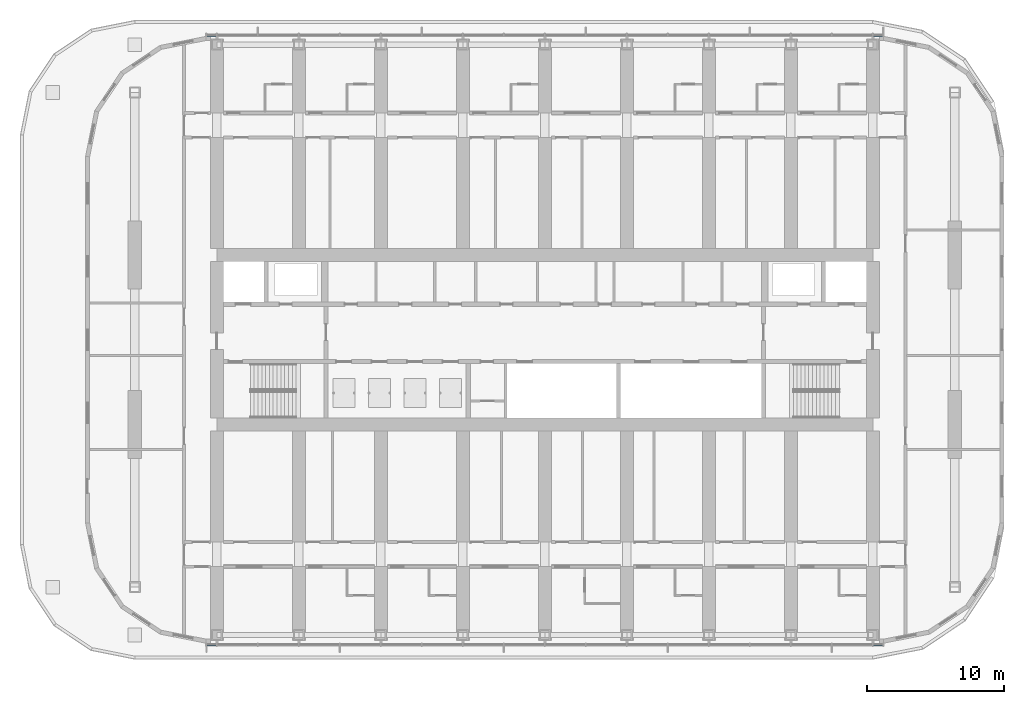
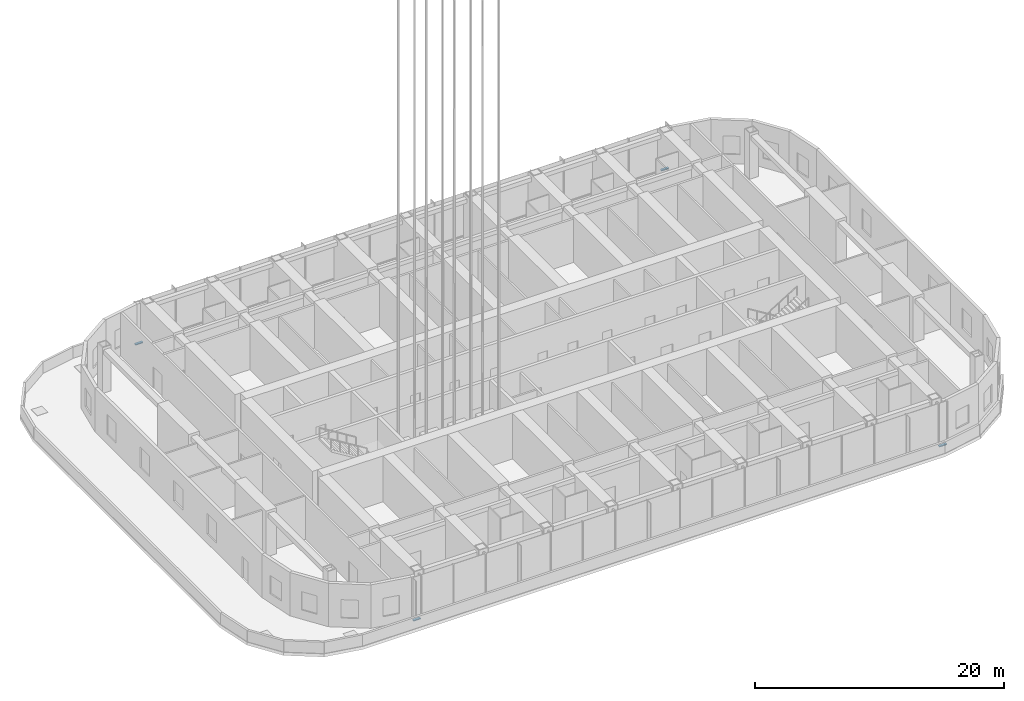
# One storey, part 6 of 32: 4 members, 2 elements without a shape of their own.
"""IFC4 building model written with IfcOpenShell, lengths in metres."""

from ifc_helpers import new_model, si_unit, direction, frame, origin, origin_2d, place, context, subcontext, project, spatial, rectangle, extrude, material, material_profile, profile_set, type_object, element, aggregate, save


model = new_model("IFC4")

# Units and contexts
model_context = context("Model", 3, precision=1e-05, world=origin(), true_north=direction((0.0, 1.0)))
body_context = subcontext(model_context, "Body", "Model", "MODEL_VIEW")
ifc_project = project(units=[si_unit("LENGTHUNIT", "METRE"), si_unit("AREAUNIT", "SQUARE_METRE"), si_unit("VOLUMEUNIT", "CUBIC_METRE"), si_unit("PLANEANGLEUNIT", "RADIAN"), si_unit("MASSUNIT", "GRAM", prefix="KILO")], contexts=[model_context])

# Site, building, storey
site_placement = place(None, origin())
site = spatial("IfcSite", under=ifc_project, at=site_placement, CompositionType="ELEMENT")
building_placement = place(site_placement, origin())
building = spatial("IfcBuilding", under=site, at=building_placement, Name="Orbita Commons", CompositionType="ELEMENT")
storey_placement = place(building_placement, frame((0.0, 0.0, 140.35009765625)))
storey = spatial("IfcBuildingStorey", under=building, at=storey_placement, Name="L34", CompositionType="ELEMENT", Elevation=140.35009765625)

# Curtain wall, members
ifc_material_1 = material(Name="Anodised aluminium frame, pale silver", Category="aluminium")
curtain_wall_type = type_object("IfcCurtainWallType", Name="Unitised curtain wall CW-S, full-height", PredefinedType="NOTDEFINED", material=ifc_material_1)
curtain_wall_1_placement = place(storey_placement, origin())
curtain_wall_1 = element("IfcCurtainWall", 1, at=curtain_wall_1_placement, inside=storey, type_object=curtain_wall_type, Name="Curtain wall south L34", PredefinedType="NOTDEFINED")
ifc_material_2 = material(Name="Anodised aluminium, pale silver", Category="aluminium")
ifc_material_profile = material_profile(ifc_material_2, rectangle(XDim=0.219970703125, YDim=0.10009765625, at=origin_2d()), Name="AL 220x100")
ifc_profile_set = profile_set([ifc_material_profile], Name="Anodised aluminium, pale silver")
member_type = type_object("IfcMemberType", Name="Curtain wall stack transom 220x100", PredefinedType="USERDEFINED", material=ifc_profile_set)
member_1_placement = place(storey_placement, frame((17.280029296875, 9.68994140625, 0.0498046875), z_axis=(1.0, 0.0, 0.0), x_axis=(0.0, 1.0, 0.0)))
member_1 = element("IfcMember", 2, at=member_1_placement, type_object=member_type, Name="Transom 1.1 CW-L34-S", ObjectType="TRANSOM", PredefinedType="USERDEFINED", context=body_context, shape_type="SweptSolid", body=[
    extrude(rectangle(XDim=0.219970703125, YDim=0.10009765625, at=origin_2d()), origin(), (0.0, 0.0, 1.0), 0.679931640625),
])
member_2_placement = place(storey_placement, frame((66.0400390625, 9.68994140625, 0.0498046875), z_axis=(1.0, 0.0, 0.0), x_axis=(0.0, 1.0, 0.0)))
member_2 = element("IfcMember", 3, at=member_2_placement, type_object=member_type, Name="Transom 18.1 CW-L34-S", ObjectType="TRANSOM", PredefinedType="USERDEFINED", context=body_context, shape_type="SweptSolid", body=[
    extrude(rectangle(XDim=0.219970703125, YDim=0.10009765625, at=origin_2d()), origin(), (0.0, 0.0, 1.0), 0.679931640625),
])
aggregate(curtain_wall_1, [member_1, member_2])

curtain_wall_2_placement = place(storey_placement, origin())
curtain_wall_2 = element("IfcCurtainWall", 4, at=curtain_wall_2_placement, inside=storey, type_object=curtain_wall_type, Name="Curtain wall north L34", PredefinedType="NOTDEFINED")
member_3_placement = place(storey_placement, frame((66.719970703125, 54.31005859375, 0.0498046875), z_axis=(-1.0, 0.0, 0.0), x_axis=(0.0, -1.0, 0.0)))
member_3 = element("IfcMember", 5, at=member_3_placement, type_object=member_type, Name="Transom 1.1 CW-L34-N", ObjectType="TRANSOM", PredefinedType="USERDEFINED", context=body_context, shape_type="SweptSolid", body=[
    extrude(rectangle(XDim=0.219970703125, YDim=0.10009765625, at=origin_2d()), origin(), (0.0, 0.0, 1.0), 0.679931640625),
])
member_4_placement = place(storey_placement, frame((17.9599609375, 54.31005859375, 0.0498046875), z_axis=(-1.0, 0.0, 0.0), x_axis=(0.0, -1.0, 0.0)))
member_4 = element("IfcMember", 6, at=member_4_placement, type_object=member_type, Name="Transom 18.1 CW-L34-N", ObjectType="TRANSOM", PredefinedType="USERDEFINED", context=body_context, shape_type="SweptSolid", body=[
    extrude(rectangle(XDim=0.219970703125, YDim=0.10009765625, at=origin_2d()), origin(), (0.0, 0.0, 1.0), 0.679931640625),
])
aggregate(curtain_wall_2, [member_3, member_4])

save(model, "model.ifc")
